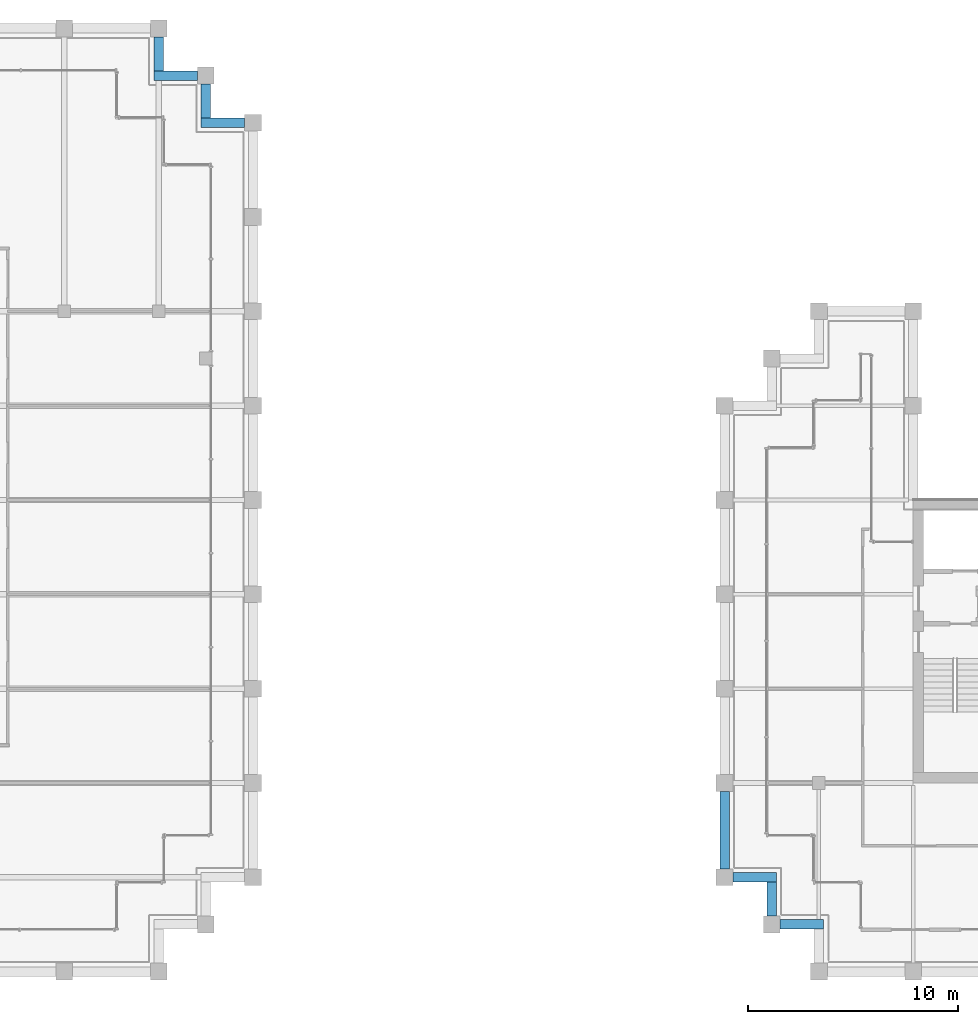
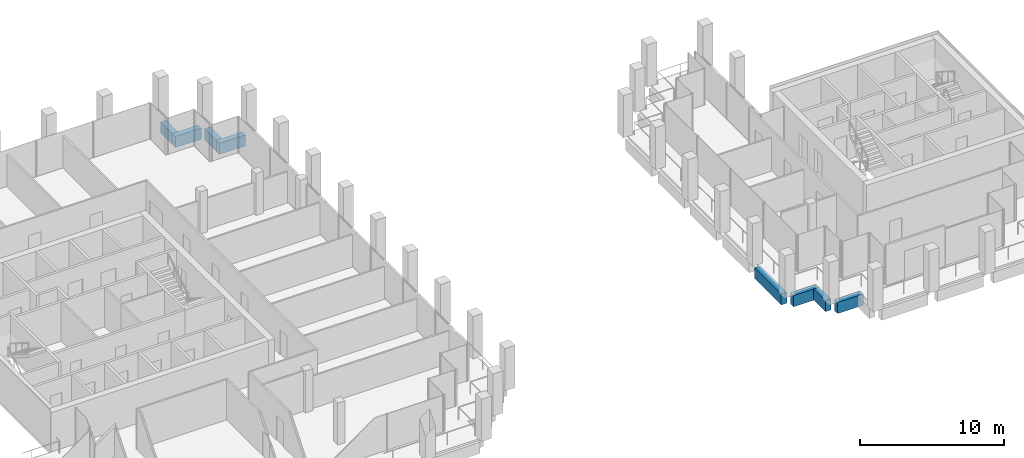
# One storey, part 27 of 41: 8 beams.
"""IFC4 building model written with IfcOpenShell, lengths in metres."""

import ifcopenshell
import ifcopenshell.guid

model = None  # the IFC model being written
_history = None  # IfcOwnerHistory: only IFC2X3 demands one
_inside = {}  # id of a spatial element -> (the spatial element, [elements in it])
_under = {}  # id of a project, library or spatial element -> (it, [spatial elements below it])
_declared = {}  # id of a project -> (the project, [libraries it declares])
_typed = {}  # id of a type object -> (the type object, [elements of that type])
_made_of = {}  # id of a material, layer set ... -> (it, [elements and type objects made of it])


def new_model(schema):
    """Start an empty IFC model of exactly this schema.

    Asked for "IFC4X3", IfcOpenShell would pick the latest addendum, in which some entities
    have other attributes; the version numbers below select the first issue.
    IFC2X3 requires an IfcOwnerHistory on every rooted entity: one is made here for all.
    """
    global model, _history
    if schema == "IFC4X3":
        model = ifcopenshell.file(schema_version=(4, 3, 0, 0))
    else:
        model = ifcopenshell.file(schema=schema)
    _inside.clear()
    _under.clear()
    _declared.clear()
    _typed.clear()
    _made_of.clear()
    _history = None
    if model.schema == "IFC2X3":
        org = make("IfcOrganization", Name="unknown")
        user = make(
            "IfcPersonAndOrganization",
            ThePerson=make("IfcPerson", FamilyName="unknown"),
            TheOrganization=org,
        )
        app = make(
            "IfcApplication",
            ApplicationDeveloper=org,
            Version="unknown",
            ApplicationFullName="unknown",
            ApplicationIdentifier="unknown",
        )
        _history = make(
            "IfcOwnerHistory",
            OwningUser=user,
            OwningApplication=app,
            ChangeAction="ADDED",
            CreationDate=0,
        )
    return model


def make(cls, **values):
    """One entity of the class cls with the attributes given. An attribute that is None is left unset."""
    return model.create_entity(
        cls, **{name: value for name, value in values.items() if value is not None}
    )


def rooted(cls, **values):
    """An entity with a GlobalId (a new one), such as an element, a storey or a relation."""
    return make(cls, GlobalId=ifcopenshell.guid.new(), OwnerHistory=_history, **values)


def si_unit(unit_type, name, prefix=None):
    """IfcSIUnit, for example si_unit("LENGTHUNIT", "METRE", prefix="MILLI")."""
    return make("IfcSIUnit", UnitType=unit_type, Prefix=prefix, Name=name)


def assignment(units):
    """IfcUnitAssignment: the units of a project."""
    return None if units is None else make("IfcUnitAssignment", Units=units)


def point(xyz):
    """IfcCartesianPoint."""
    return None if xyz is None else make("IfcCartesianPoint", Coordinates=xyz)


def direction(xyz):
    """IfcDirection."""
    return None if xyz is None else make("IfcDirection", DirectionRatios=xyz)


def frame(location, z_axis=None, x_axis=None):
    """IfcAxis2Placement3D, a coordinate frame: its origin and axes. An axis left out is left unset."""
    return make(
        "IfcAxis2Placement3D",
        Location=point(location),
        Axis=direction(z_axis),
        RefDirection=direction(x_axis),
    )


def frame_2d(location, x_axis=None):
    """IfcAxis2Placement2D, a coordinate frame in the plane: its origin and x axis."""
    return make(
        "IfcAxis2Placement2D", Location=point(location), RefDirection=direction(x_axis)
    )


def origin():
    """The frame at (0, 0, 0) with its axes left unset."""
    return frame((0.0, 0.0, 0.0))


def origin_2d():
    """The frame at (0, 0) in the plane with its x axis left unset."""
    return frame_2d((0.0, 0.0))


def place(relative_to, where):
    """IfcLocalPlacement: puts the frame where relative to a parent placement (None: the world)."""
    return make(
        "IfcLocalPlacement", PlacementRelTo=relative_to, RelativePlacement=where
    )


def context(
    kind, dimensions, precision=None, world=None, true_north=None, identifier=None
):
    """IfcGeometricRepresentationContext, for example the 3D "Model" context."""
    return make(
        "IfcGeometricRepresentationContext",
        ContextIdentifier=identifier,
        ContextType=kind,
        CoordinateSpaceDimension=dimensions,
        Precision=precision,
        WorldCoordinateSystem=world,
        TrueNorth=true_north,
    )


def subcontext(parent, identifier, kind, view, scale=None):
    """IfcGeometricRepresentationSubContext, for example "Body" below "Model"."""
    return make(
        "IfcGeometricRepresentationSubContext",
        ContextIdentifier=identifier,
        ContextType=kind,
        ParentContext=parent,
        TargetScale=scale,
        TargetView=view,
    )


def project(units=None, contexts=None):
    """IfcProject with its units and contexts."""
    return rooted(
        "IfcProject",
        Name="project",
        RepresentationContexts=contexts,
        UnitsInContext=assignment(units),
    )


def spatial(cls, under=None, at=None, **own):
    """A site, building, storey or space (cls), placed at a placement, below another one or the project."""
    s = rooted(cls, ObjectPlacement=at, **own)
    if under is not None:
        _under.setdefault(under.id(), (under, []))[1].append(s)
    return s


def profile(cls, at=None, kind="AREA", **sizes):
    """A parametric profile (cls). Its sizes go by their IFC names, for example OverallWidth=200.0."""
    return make(cls, ProfileType=kind, Position=at, **sizes)


def rectangle(**sizes):
    """IfcRectangleProfileDef."""
    return profile("IfcRectangleProfileDef", **sizes)


def extrude(swept, where, along, depth):
    """IfcExtrudedAreaSolid: the profile swept, set in the frame where, extruded along a direction by depth."""
    return make(
        "IfcExtrudedAreaSolid",
        SweptArea=swept,
        Position=where,
        ExtrudedDirection=direction(along),
        Depth=depth,
    )


def shape(context_of_items, identifier, shape_type, items):
    """IfcShapeRepresentation: the items that make up one representation, for example the "Body"."""
    return make(
        "IfcShapeRepresentation",
        ContextOfItems=context_of_items,
        RepresentationIdentifier=identifier,
        RepresentationType=shape_type,
        Items=items,
    )


def material(Name=None, Category=None):
    """IfcMaterial."""
    return make("IfcMaterial", Name=Name, Category=Category)


def material_profile(
    of_material, cross_section, Name=None, Category=None, Priority=None
):
    """IfcMaterialProfile: a cross section and its material."""
    return make(
        "IfcMaterialProfile",
        Name=Name,
        Material=of_material,
        Profile=cross_section,
        Priority=Priority,
        Category=Category,
    )


def profile_set(profiles, Name=None, composite=None):
    """IfcMaterialProfileSet."""
    return make(
        "IfcMaterialProfileSet",
        Name=Name,
        MaterialProfiles=profiles,
        CompositeProfile=composite,
    )


def made_of(thing, what):
    """Note that an element or type object is made of a material, layer set ...; save() writes the relation."""
    if what is not None:
        _made_of.setdefault(what.id(), (what, []))[1].append(thing)
    return thing


def type_object(cls, material=None, **own):
    """A type object (cls), such as IfcWallType, which elements share."""
    return made_of(rooted(cls, **own), material)


def element(
    cls,
    number,
    at=None,
    inside=None,
    cuts=None,
    type_object=None,
    material=None,
    context=None,
    identifier="Body",
    shape_type=None,
    held_by="IfcProductDefinitionShape",
    body=None,
    shapes=None,
    **own,
):
    """One element of the class cls, such as IfcWall. Its Tag is "e" and its number.

    at: its placement. inside: the storey or other place that contains it. cuts: it is an
    opening in that element (IfcRelVoidsElement). A single representation is given by context,
    identifier, shape_type and body (its items); several are given by shapes. held_by: the class
    of the entity that holds the representations. save() writes the other relations.
    """
    e = rooted(cls, Tag="e%d" % number, ObjectPlacement=at, **own)
    if body is not None:
        shapes = [shape(context, identifier, shape_type, body)]
    if shapes is not None:
        e.Representation = make(held_by, Representations=shapes)
    if inside is not None:
        _inside.setdefault(inside.id(), (inside, []))[1].append(e)
    if cuts is not None:
        rooted(
            "IfcRelVoidsElement", RelatingBuildingElement=cuts, RelatedOpeningElement=e
        )
    if type_object is not None:
        _typed.setdefault(type_object.id(), (type_object, []))[1].append(e)
    return made_of(e, material)


def aggregate(whole, parts):
    """IfcRelAggregates: a whole, such as a stair, and the parts it consists of."""
    return rooted("IfcRelAggregates", RelatingObject=whole, RelatedObjects=parts)


def save(model, path):
    """Write the relations noted so far, then the file.

    IfcRelAggregates (storeys below a building ...), IfcRelContainedInSpatialStructure (elements
    in a storey), IfcRelDefinesByType, IfcRelAssociatesMaterial and IfcRelDeclares: one each for
    every whole, place, type object, material and project.
    """
    for whole, parts in _under.values():
        aggregate(whole, parts)
    for where, things in _inside.values():
        rooted(
            "IfcRelContainedInSpatialStructure",
            RelatedElements=things,
            RelatingStructure=where,
        )
    for kind, things in _typed.values():
        rooted("IfcRelDefinesByType", RelatedObjects=things, RelatingType=kind)
    for what, things in _made_of.values():
        rooted("IfcRelAssociatesMaterial", RelatedObjects=things, RelatingMaterial=what)
    for by, libraries in _declared.values():
        rooted("IfcRelDeclares", RelatingContext=by, RelatedDefinitions=libraries)
    model.write(path)


model = new_model("IFC4")

# Units and contexts
model_context = context("Model", 3, precision=1e-05, world=origin(), true_north=direction((0.0, 1.0)))
body_context = subcontext(model_context, "Body", "Model", "MODEL_VIEW")
ifc_project = project(units=[si_unit("LENGTHUNIT", "METRE"), si_unit("AREAUNIT", "SQUARE_METRE"), si_unit("VOLUMEUNIT", "CUBIC_METRE"), si_unit("PLANEANGLEUNIT", "RADIAN"), si_unit("MASSUNIT", "GRAM", prefix="KILO")], contexts=[model_context])

# Site, building, storey
site_placement = place(None, origin())
site = spatial("IfcSite", under=ifc_project, at=site_placement, CompositionType="ELEMENT")
building_placement = place(site_placement, origin())
building = spatial("IfcBuilding", under=site, at=building_placement, Name="Altepetl Exchange Towers", CompositionType="ELEMENT")
storey_placement = place(building_placement, frame((0.0, 0.0, 206.39990234375)))
storey = spatial("IfcBuildingStorey", under=building, at=storey_placement, Name="L52", CompositionType="ELEMENT", Elevation=206.39990234375)

# Beams
ifc_material_1 = material(Name="Concrete C50/60 precast with cantera rosa facing", Category="concrete")
ifc_material_profile_1 = material_profile(ifc_material_1, rectangle(XDim=0.449951171875, YDim=0.949951171875, at=origin_2d()), Name="450 x 950")
ifc_profile_set_1 = profile_set([ifc_material_profile_1], Name="Concrete C50/60 precast with cantera rosa facing")
beam_type_1 = type_object("IfcBeamType", Name="Spandrel beam 450x950 cantera rosa", PredefinedType="SPANDREL", material=ifc_profile_set_1)
beam_1_placement = place(storey_placement, frame((71.60009765625, 67.5, -0.625), z_axis=(-1.0, 0.0, 0.0), x_axis=(0.0, -1.0, 0.0)))
element("IfcBeam", 1, at=beam_1_placement, inside=storey, type_object=beam_type_1, Name="sp:A:L52:020", PredefinedType="SPANDREL", context=body_context, shape_type="SweptSolid", body=[
    extrude(rectangle(XDim=0.449951171875, YDim=0.949951171875, at=origin_2d()), origin(), (0.0, 0.0, 1.0), 2.0751953125),
])
beam_2_placement = place(storey_placement, frame((69.75, 67.72509765625, -0.625), z_axis=(0.0, 1.0, 0.0), x_axis=(-1.0, 0.0, 0.0)))
element("IfcBeam", 2, at=beam_2_placement, inside=storey, type_object=beam_type_1, Name="sp:A:L52:021", PredefinedType="SPANDREL", context=body_context, shape_type="SweptSolid", body=[
    extrude(rectangle(XDim=0.449951171875, YDim=0.949951171875, at=origin_2d()), origin(), (0.0, 0.0, 1.0), 1.625),
])
beam_3_placement = place(storey_placement, frame((69.35009765625, 69.75, -0.625), z_axis=(-1.0, 0.0, 0.0), x_axis=(0.0, -1.0, 0.0)))
element("IfcBeam", 3, at=beam_3_placement, inside=storey, type_object=beam_type_1, Name="sp:A:L52:022", PredefinedType="SPANDREL", context=body_context, shape_type="SweptSolid", body=[
    extrude(rectangle(XDim=0.449951171875, YDim=0.949951171875, at=origin_2d()), origin(), (0.0, 0.0, 1.0), 2.0751953125),
])
beam_4_placement = place(storey_placement, frame((67.5, 69.97509765625, -0.625), z_axis=(0.0, 1.0, 0.0), x_axis=(-1.0, 0.0, 0.0)))
element("IfcBeam", 4, at=beam_4_placement, inside=storey, type_object=beam_type_1, Name="sp:A:L52:023", PredefinedType="SPANDREL", context=body_context, shape_type="SweptSolid", body=[
    extrude(rectangle(XDim=0.449951171875, YDim=0.949951171875, at=origin_2d()), origin(), (0.0, 0.0, 1.0), 1.625),
])
ifc_material_2 = material(Name="Concrete C50/60 precast with tezontle facing", Category="concrete")
ifc_material_profile_2 = material_profile(ifc_material_2, rectangle(XDim=0.449951171875, YDim=0.949951171875, at=origin_2d()), Name="450 x 950")
ifc_profile_set_2 = profile_set([ifc_material_profile_2], Name="Concrete C50/60 precast with tezontle facing")
beam_type_2 = type_object("IfcBeamType", Name="Spandrel beam 450x950 tezontle", PredefinedType="SPANDREL", material=ifc_profile_set_2)
beam_5_placement = place(storey_placement, frame((94.5, 35.60009765625, -0.625), z_axis=(0.0, -1.0, 0.0), x_axis=(1.0, 0.0, 0.0)))
element("IfcBeam", 5, at=beam_5_placement, inside=storey, type_object=beam_type_2, Name="sp:B:L52:019", PredefinedType="SPANDREL", context=body_context, shape_type="SweptSolid", body=[
    extrude(rectangle(XDim=0.449951171875, YDim=0.949951171875, at=origin_2d()), origin(), (0.0, 0.0, 1.0), 3.7001953125),
])
beam_6_placement = place(storey_placement, frame((94.89990234375, 31.5, -0.625), z_axis=(1.0, 0.0, 0.0), x_axis=(0.0, 1.0, 0.0)))
element("IfcBeam", 6, at=beam_6_placement, inside=storey, type_object=beam_type_2, Name="sp:B:L52:020", PredefinedType="SPANDREL", context=body_context, shape_type="SweptSolid", body=[
    extrude(rectangle(XDim=0.449951171875, YDim=0.949951171875, at=origin_2d()), origin(), (0.0, 0.0, 1.0), 2.0751953125),
])
beam_7_placement = place(storey_placement, frame((96.75, 31.27490234375, -0.625), z_axis=(0.0, -1.0, 0.0), x_axis=(1.0, 0.0, 0.0)))
element("IfcBeam", 7, at=beam_7_placement, inside=storey, type_object=beam_type_2, Name="sp:B:L52:021", PredefinedType="SPANDREL", context=body_context, shape_type="SweptSolid", body=[
    extrude(rectangle(XDim=0.449951171875, YDim=0.949951171875, at=origin_2d()), origin(), (0.0, 0.0, 1.0), 1.625),
])
beam_8_placement = place(storey_placement, frame((97.14990234375, 29.25, -0.625), z_axis=(1.0, 0.0, 0.0), x_axis=(0.0, 1.0, 0.0)))
element("IfcBeam", 8, at=beam_8_placement, inside=storey, type_object=beam_type_2, Name="sp:B:L52:022", PredefinedType="SPANDREL", context=body_context, shape_type="SweptSolid", body=[
    extrude(rectangle(XDim=0.449951171875, YDim=0.949951171875, at=origin_2d()), origin(), (0.0, 0.0, 1.0), 2.0751953125),
])

save(model, "model.ifc")
